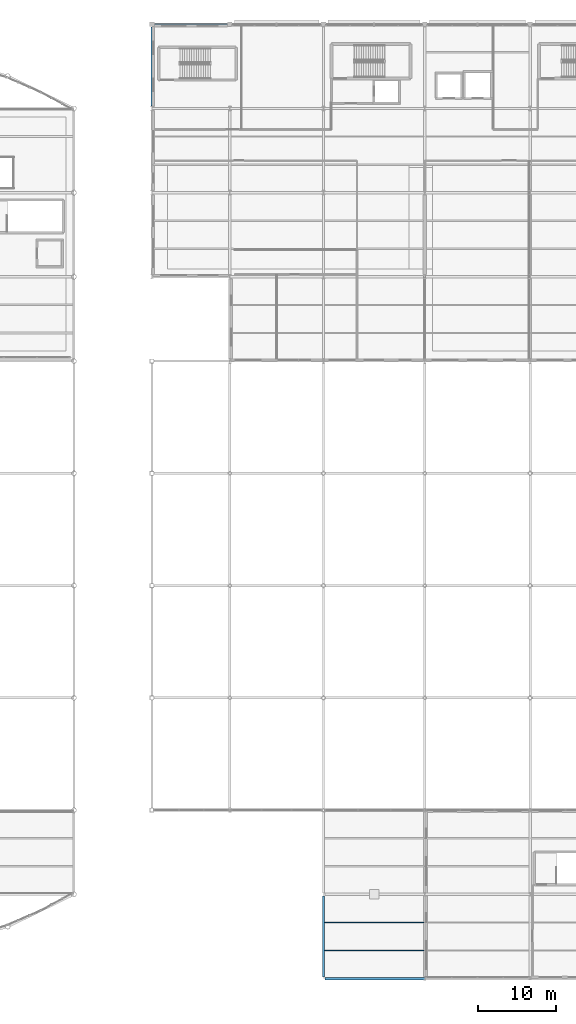
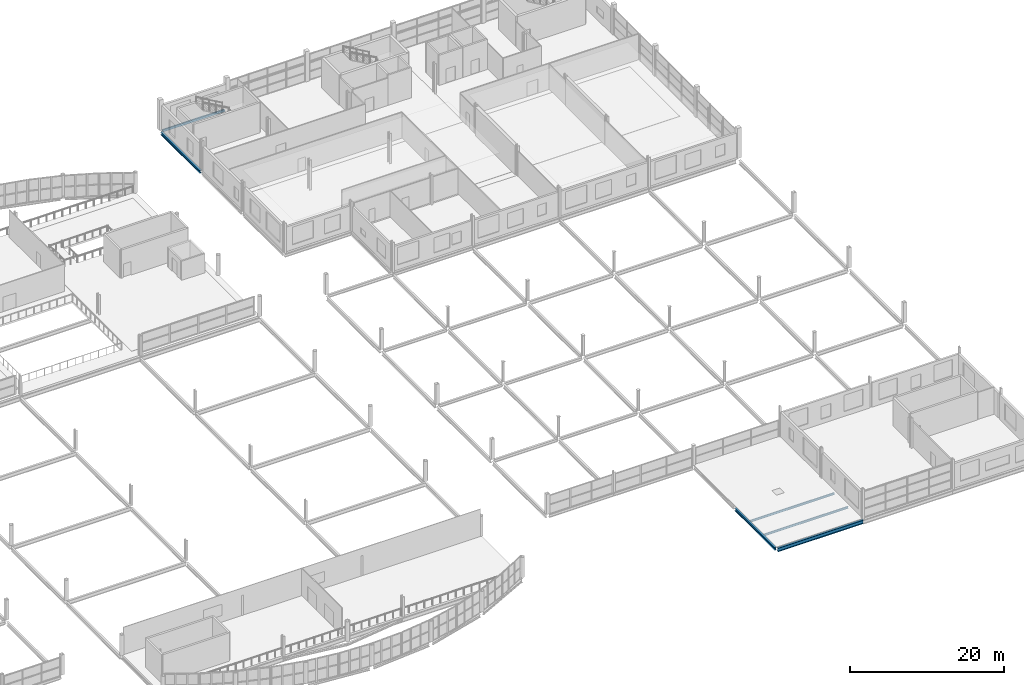
# One storey, part 77 of 134: 6 beams.
"""IFC4 building model written with IfcOpenShell, lengths in metres."""

from ifc_helpers import new_model, si_unit, direction, frame, origin, origin_2d, place, context, subcontext, project, spatial, hollow_rectangle, i_section, extrude, material, material_profile, profile_set, type_object, element, save


model = new_model("IFC4")

# Units and contexts
model_context = context("Model", 3, precision=1e-05, world=origin(), true_north=direction((0.0, 1.0)))
body_context = subcontext(model_context, "Body", "Model", "MODEL_VIEW")
ifc_project = project(units=[si_unit("LENGTHUNIT", "METRE"), si_unit("AREAUNIT", "SQUARE_METRE"), si_unit("VOLUMEUNIT", "CUBIC_METRE"), si_unit("PLANEANGLEUNIT", "RADIAN"), si_unit("MASSUNIT", "GRAM", prefix="KILO")], contexts=[model_context])

# Site, building, storey
site_placement = place(None, origin())
site = spatial("IfcSite", under=ifc_project, at=site_placement, CompositionType="ELEMENT")
building_placement = place(site_placement, origin())
building = spatial("IfcBuilding", under=site, at=building_placement, Name="Tamarisk Ironworks Central Station", CompositionType="ELEMENT")
storey_placement = place(building_placement, frame((0.0, 0.0, 12.60009765625)))
storey = spatial("IfcBuildingStorey", under=building, at=storey_placement, Name="L02", CompositionType="ELEMENT", Elevation=12.60009765625)

# Beams
ifc_material = material(Name="Structural steel S355J2", Category="steel")
ifc_material_profile_1 = material_profile(ifc_material, i_section(OverallWidth=0.159912109375, OverallDepth=0.330078125, WebThickness=0.007568359375, FlangeThickness=0.011474609375, at=origin_2d()), Name="IPE 330")
ifc_profile_set_1 = profile_set([ifc_material_profile_1], Name="Structural steel S355J2")
beam_type_1 = type_object("IfcBeamType", Name="BM-B06", PredefinedType="BEAM", material=ifc_profile_set_1)
for number, where, z_axis, x_axis, name in (
    (1, (140.135009765625, 3.60009765625, -0.3251953125), (1.0, 0.0, 0.0), (0.0, 1.0, 0.0), "L02 secondary composite beam 0186"),
    (2, (140.135009765625, 7.199951171875, -0.3251953125), (1.0, 0.0, 0.0), (0.0, 1.0, 0.0), "L02 secondary composite beam 0187"),
):
    element("IfcBeam", number, at=place(storey_placement, frame(where, z_axis=z_axis, x_axis=x_axis)), inside=storey, type_object=beam_type_1, Name=name, PredefinedType="BEAM", context=body_context, shape_type="SweptSolid", body=[
        extrude(i_section(OverallWidth=0.159912109375, OverallDepth=0.330078125, WebThickness=0.007568359375, FlangeThickness=0.011474609375, at=origin_2d()), origin(), (0.0, 0.0, 1.0), 12.72998046875),
    ])
ifc_material_profile_2 = material_profile(ifc_material, i_section(OverallWidth=0.300048828125, OverallDepth=0.590087890625, WebThickness=0.012939453125, FlangeThickness=0.02490234375, at=origin_2d()), Name="HEA 600")
ifc_profile_set_2 = profile_set([ifc_material_profile_2], Name="Structural steel S355J2")
beam_type_2 = type_object("IfcBeamType", Name="BM-G03", PredefinedType="BEAM", material=ifc_profile_set_2)
beam_1_placement = place(storey_placement, frame((140.18798828125, 0.0, -0.455078125), z_axis=(1.0, 0.0, 0.0), x_axis=(0.0, 1.0, 0.0)))
element("IfcBeam", 3, at=beam_1_placement, inside=storey, type_object=beam_type_2, Name="L02 primary girder X-0297", PredefinedType="BEAM", context=body_context, shape_type="SweptSolid", body=[
    extrude(i_section(OverallWidth=0.300048828125, OverallDepth=0.590087890625, WebThickness=0.012939453125, FlangeThickness=0.02490234375, at=origin_2d()), origin(), (0.0, 0.0, 1.0), 12.80810546875),
])
ifc_material_profile_3 = material_profile(ifc_material, i_section(OverallWidth=0.300048828125, OverallDepth=0.43994140625, WebThickness=0.011474609375, FlangeThickness=0.02099609375, at=origin_2d()), Name="HEA 450")
ifc_profile_set_3 = profile_set([ifc_material_profile_3], Name="Structural steel S355J2")
beam_type_3 = type_object("IfcBeamType", Name="BM-G06", PredefinedType="BEAM", material=ifc_profile_set_3)
beam_2_placement = place(storey_placement, frame((118.0, 111.887939453125, -0.47021484375), z_axis=(0.0, 1.0, 0.0), x_axis=(-1.0, 0.0, 0.0)))
element("IfcBeam", 4, at=beam_2_placement, inside=storey, type_object=beam_type_3, Name="L02 primary girder Y-0494", PredefinedType="BEAM", context=body_context, shape_type="SweptSolid", body=[
    extrude(i_section(OverallWidth=0.300048828125, OverallDepth=0.43994140625, WebThickness=0.011474609375, FlangeThickness=0.02099609375, at=origin_2d()), origin(), (0.0, 0.0, 1.0), 10.174072265625),
])
beam_3_placement = place(storey_placement, frame((140.0, 0.18798828125, -0.380126953125), z_axis=(0.0, 1.0, 0.0), x_axis=(-1.0, 0.0, 0.0)))
element("IfcBeam", 5, at=beam_3_placement, inside=storey, type_object=beam_type_3, Name="L02 primary girder Y-0502", PredefinedType="BEAM", context=body_context, shape_type="SweptSolid", body=[
    extrude(i_section(OverallWidth=0.300048828125, OverallDepth=0.43994140625, WebThickness=0.011474609375, FlangeThickness=0.02099609375, at=origin_2d()), origin(), (0.0, 0.0, 1.0), 10.424072265625),
])
ifc_material_profile_4 = material_profile(ifc_material, hollow_rectangle(XDim=0.199951171875, YDim=0.35009765625, WallThickness=0.012451171875, at=origin_2d()), Name="RHS 350x200x12.5")
ifc_profile_set_4 = profile_set([ifc_material_profile_4], Name="Structural steel S355J2")
beam_type_4 = type_object("IfcBeamType", Name="BM-SP01", PredefinedType="SPANDREL", material=ifc_profile_set_4)
beam_4_placement = place(storey_placement, frame((118.337890625, 122.39990234375, -0.425048828125), z_axis=(1.0, 0.0, 0.0), x_axis=(0.0, 1.0, 0.0)))
element("IfcBeam", 6, at=beam_4_placement, inside=storey, type_object=beam_type_4, Name="L02 primary girder X-0411", PredefinedType="SPANDREL", context=body_context, shape_type="SweptSolid", body=[
    extrude(hollow_rectangle(XDim=0.199951171875, YDim=0.35009765625, WallThickness=0.012451171875, at=origin_2d()), origin(), (0.0, 0.0, 1.0), 9.32421875),
])

save(model, "model.ifc")
